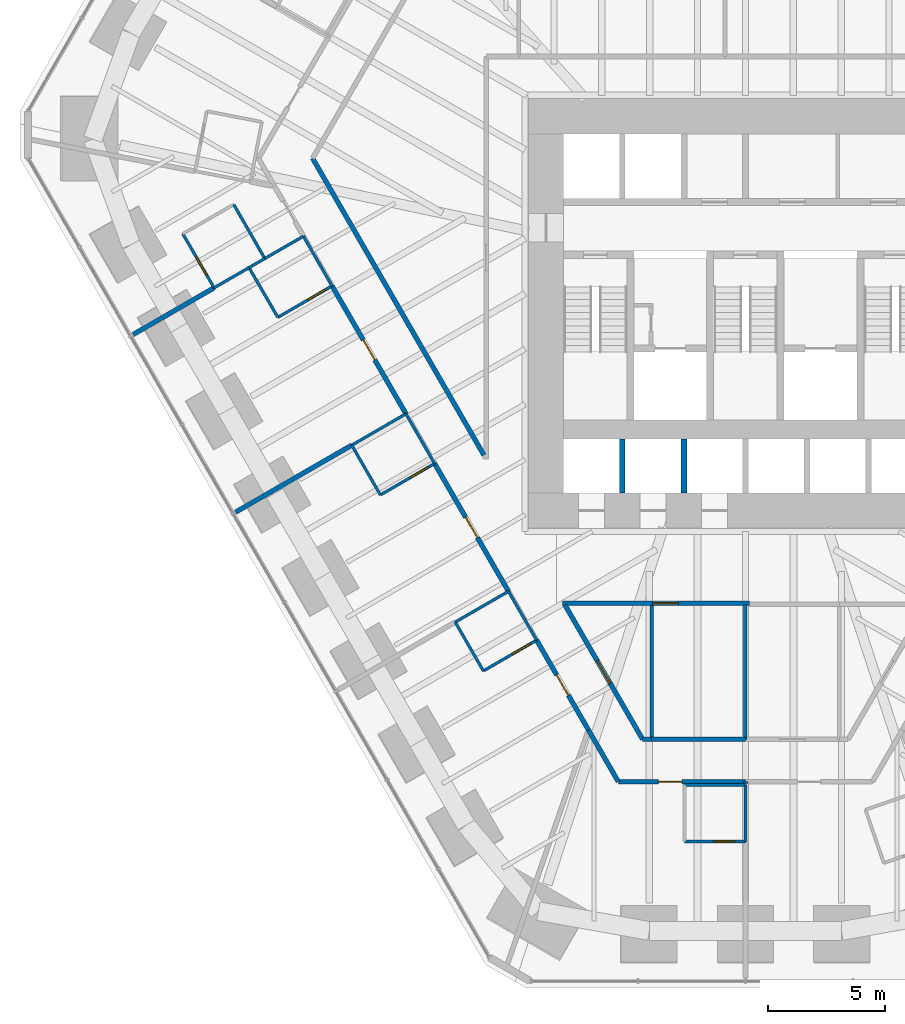
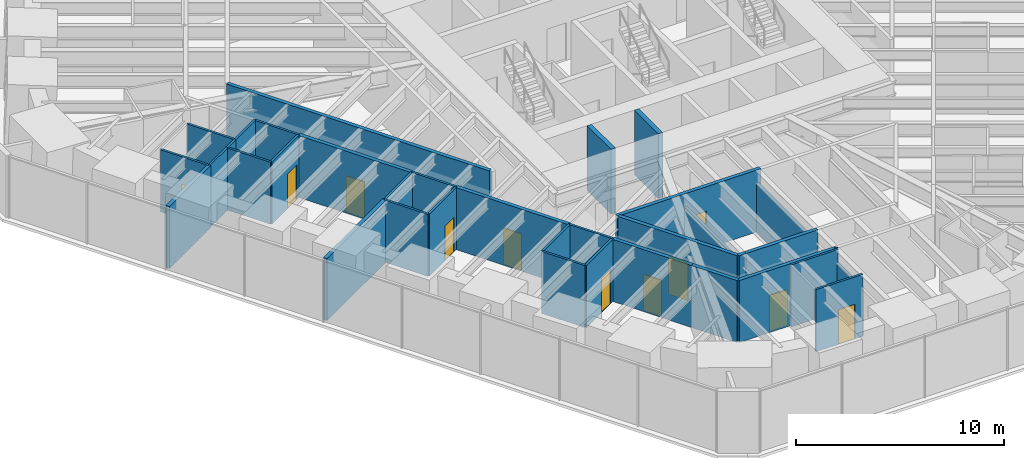
# One storey, part 11 of 17: 36 walls, 11 doors, 11 openings.
"""IFC4 building model written with IfcOpenShell, lengths in metres."""

from ifc_helpers import new_model, si_unit, direction, frame, frame_2d, origin, place, context, subcontext, project, spatial, rectangle, extrude, material, layer, layer_set, type_object, element, fill, save


model = new_model("IFC4")

# Units and contexts
model_context = context("Model", 3, precision=1e-05, world=origin(), true_north=direction((0.0, 1.0)))
body_context = subcontext(model_context, "Body", "Model", "MODEL_VIEW")
ifc_project = project(units=[si_unit("LENGTHUNIT", "METRE"), si_unit("AREAUNIT", "SQUARE_METRE"), si_unit("VOLUMEUNIT", "CUBIC_METRE"), si_unit("PLANEANGLEUNIT", "RADIAN"), si_unit("MASSUNIT", "GRAM", prefix="KILO")], contexts=[model_context])

# Site, building, storey
site_placement = place(None, origin())
site = spatial("IfcSite", under=ifc_project, at=site_placement, CompositionType="ELEMENT")
building_placement = place(site_placement, origin())
building = spatial("IfcBuilding", under=site, at=building_placement, Name="Sandreach Pilgrim Tower", CompositionType="ELEMENT")
storey_placement = place(building_placement, frame((0.0, 0.0, 72.39990234375)))
storey = spatial("IfcBuildingStorey", under=building, at=storey_placement, Name="L17", CompositionType="ELEMENT", Elevation=72.39990234375)

# Walls
ifc_material_1 = material(Name="Gypsum board on steel studs", Category="steel")
ifc_layer_1 = layer(ifc_material_1, 0.14990234375)
ifc_layer_set_1 = layer_set([ifc_layer_1], Name="Back of house wall 150")
wall_type_1 = type_object("IfcWallType", Name="Back of house wall 150", PredefinedType="PARTITIONING", material=ifc_layer_set_1)
wall_1_placement = place(storey_placement, frame((-4.0, -14.0, 0.0), z_axis=(0.0, 0.0, 1.0), x_axis=(0.0, -1.0, 0.0)))
element("IfcWall", 1, at=wall_1_placement, inside=storey, type_object=wall_type_1, Name="Back of house wall L17-060", PredefinedType="PARTITIONING", context=body_context, shape_type="SweptSolid", body=[
    extrude(rectangle(XDim=5.7099609375, YDim=0.14990234375, at=frame_2d((2.85498046875, 0.0))), origin(), (0.0, 0.0, 1.0), 2.878173828125),
])
wall_2_placement = place(storey_placement, frame((0.0, -13.949951171875, 0.0), z_axis=(0.0, 0.0, 1.0), x_axis=(0.0, -1.0, 0.0)))
element("IfcWall", 2, at=wall_2_placement, inside=storey, type_object=wall_type_1, Name="Back of house wall L17-074", PredefinedType="PARTITIONING", context=body_context, shape_type="SweptSolid", body=[
    extrude(rectangle(XDim=5.760009765625, YDim=0.14990234375, at=frame_2d((2.8798828125, 0.0))), origin(), (0.0, 0.0, 1.0), 2.8603515625),
])

# Wall, opening, door
ifc_material_2 = material(Name="Moisture-resistant gypsum board on steel studs", Category="steel")
ifc_layer_2 = layer(ifc_material_2, 0.1201171875)
ifc_layer_set_2 = layer_set([ifc_layer_2], Name="Bathroom partition 120")
wall_type_2 = type_object("IfcWallType", Name="Bathroom partition 120", PredefinedType="PARTITIONING", material=ifc_layer_set_2)
wall_3_placement = place(storey_placement, frame((-23.97998046875, 1.840087890625, 0.0), z_axis=(0.0, 0.0, 1.0), x_axis=(0.500605174168, -0.865675724273, 0.0)))
wall_3 = element("IfcWall", 3, at=wall_3_placement, inside=storey, type_object=wall_type_2, Name="Bathroom partition L17-004", PredefinedType="PARTITIONING", context=body_context, shape_type="SweptSolid", body=[
    extrude(rectangle(XDim=2.656982421875, YDim=0.1201171875, at=frame_2d((1.32861328125, 0.0))), origin(), (0.0, 0.0, 1.0), 3.64013671875),
])
opening_1_placement = place(wall_3_placement, frame((1.14990234375, 0.0, 0.0)))
opening_1 = element("IfcOpeningElement", 4, at=opening_1_placement, cuts=wall_3, Name="Opening D09-16B", PredefinedType="OPENING", context=body_context, shape_type="SweptSolid", body=[
    extrude(rectangle(XDim=0.89990234375, YDim=2.030029296875, at=frame_2d((0.449951171875, 1.01513671875))), frame((0.0, 0.06005859375, 0.0), z_axis=(0.0, -1.0, 0.0), x_axis=(1.0, 0.0, 0.0)), (0.0, 0.0, 1.0), 0.1201171875),
])
ifc_material_3 = material(Name="Timber door, steel frame", Category="steel")
door_type_1 = type_object("IfcDoorType", Name="Bathroom door", OperationType="SINGLE_SWING_LEFT", PredefinedType="DOOR", material=ifc_material_3)
door_1_placement = place(opening_1_placement, origin())
door_1 = element("IfcDoor", 5, at=door_1_placement, inside=storey, type_object=door_type_1, Name="Door 1716B", OperationType="SINGLE_SWING_RIGHT", OverallHeight=2.030029296875, OverallWidth=0.89990234375, PredefinedType="DOOR", context=body_context, shape_type="SweptSolid", body=[
    extrude(rectangle(XDim=0.89990234375, YDim=2.030029296875, at=frame_2d((0.449951171875, 1.01513671875))), frame((0.0, 0.02490234375, 0.0), z_axis=(0.0, -1.0, 0.0), x_axis=(1.0, 0.0, 0.0)), (0.0, 0.0, 1.0), 0.050048828125),
])
fill(opening_1, door_1)

# Walls
wall_4_placement = place(storey_placement, frame((-22.64990234375, -0.460205078125, 0.0), z_axis=(0.0, 0.0, 1.0), x_axis=(0.866060346521, 0.499939472521, 0.0)))
element("IfcWall", 6, at=wall_4_placement, inside=storey, type_object=wall_type_2, Name="Bathroom partition L17-007", PredefinedType="PARTITIONING", context=body_context, shape_type="SweptSolid", body=[
    extrude(rectangle(XDim=1.720458984375, YDim=0.1201171875, at=frame_2d((0.8603515625, 0.0))), origin(), (0.0, 0.0, 1.0), 3.64013671875),
])
wall_5_placement = place(storey_placement, frame((-21.159912109375, 0.39990234375, 0.0), z_axis=(0.0, 0.0, 1.0), x_axis=(0.865907519724, 0.500204125617, 0.0)))
element("IfcWall", 7, at=wall_5_placement, inside=storey, type_object=wall_type_2, Name="Bathroom partition L17-010", PredefinedType="PARTITIONING", context=body_context, shape_type="SweptSolid", body=[
    extrude(rectangle(XDim=0.775146484375, YDim=0.1201171875, at=frame_2d((0.3876953125, 0.0))), origin(), (0.0, 0.0, 1.0), 3.64013671875),
])
wall_6_placement = place(storey_placement, frame((-21.159912109375, 0.39990234375, 0.0), z_axis=(0.0, 0.0, 1.0), x_axis=(0.501856726365, -0.86495076519, 0.0)))
element("IfcWall", 8, at=wall_6_placement, inside=storey, type_object=wall_type_2, Name="Bathroom partition L17-011", PredefinedType="PARTITIONING", context=body_context, shape_type="SweptSolid", body=[
    extrude(rectangle(XDim=2.450927734375, YDim=0.1201171875, at=frame_2d((1.2255859375, 0.0))), origin(), (0.0, 0.0, 1.0), 3.64013671875),
])
wall_7_placement = place(storey_placement, frame((-20.489990234375, 0.7900390625, 0.0), z_axis=(0.0, 0.0, 1.0), x_axis=(-0.497773911185, 0.867306827682, 0.0)))
element("IfcWall", 9, at=wall_7_placement, inside=storey, type_object=wall_type_2, Name="Bathroom partition L17-017", PredefinedType="PARTITIONING", context=body_context, shape_type="SweptSolid", body=[
    extrude(rectangle(XDim=2.65185546875, YDim=0.1201171875, at=frame_2d((1.325927734375, 0.0))), origin(), (0.0, 0.0, 1.0), 3.64013671875),
])
wall_8_placement = place(storey_placement, frame((-20.48876953125, 0.78759765625, 0.0), z_axis=(0.0, 0.0, 1.0), x_axis=(0.865905802456, 0.500207098383, 0.0)))
element("IfcWall", 10, at=wall_8_placement, inside=storey, type_object=wall_type_2, Name="Bathroom partition L17-018", PredefinedType="PARTITIONING", context=body_context, shape_type="SweptSolid", body=[
    extrude(rectangle(XDim=1.904052734375, YDim=0.1201171875, at=frame_2d((0.9521484375, 0.0))), origin(), (0.0, 0.0, 1.0), 3.64013671875),
])

# Wall, opening, door
wall_9_placement = place(storey_placement, frame((-19.929931640625, -1.719970703125, 0.0), z_axis=(0.0, 0.0, 1.0), x_axis=(0.865006586495, 0.501760505939, 0.0)))
wall_9 = element("IfcWall", 11, at=wall_9_placement, inside=storey, type_object=wall_type_2, Name="Bathroom partition L17-021", PredefinedType="PARTITIONING", context=body_context, shape_type="SweptSolid", body=[
    extrude(rectangle(XDim=2.670166015625, YDim=0.1201171875, at=frame_2d((1.3349609375, 0.0))), origin(), (0.0, 0.0, 1.0), 3.64013671875),
])
opening_2_placement = place(wall_9_placement, frame((1.470458984375, 0.0, 0.0)))
opening_2 = element("IfcOpeningElement", 12, at=opening_2_placement, cuts=wall_9, Name="Opening D09-15B", PredefinedType="OPENING", context=body_context, shape_type="SweptSolid", body=[
    extrude(rectangle(XDim=0.89990234375, YDim=2.030029296875, at=frame_2d((0.449951171875, 1.01513671875))), frame((0.0, 0.06005859375, 0.0), z_axis=(0.0, -1.0, 0.0), x_axis=(1.0, 0.0, 0.0)), (0.0, 0.0, 1.0), 0.1201171875),
])
door_2_placement = place(opening_2_placement, origin())
door_2 = element("IfcDoor", 13, at=door_2_placement, inside=storey, type_object=door_type_1, Name="Door 1715B", OperationType="SINGLE_SWING_RIGHT", OverallHeight=2.030029296875, OverallWidth=0.89990234375, PredefinedType="DOOR", context=body_context, shape_type="SweptSolid", body=[
    extrude(rectangle(XDim=0.89990234375, YDim=2.030029296875, at=frame_2d((0.449951171875, 1.01513671875))), frame((0.0, 0.02490234375, 0.0), z_axis=(0.0, -1.0, 0.0), x_axis=(1.0, 0.0, 0.0)), (0.0, 0.0, 1.0), 0.050048828125),
])
fill(opening_2, door_2)

# Walls
for number, where, z_axis, x_axis, name in (
    (14, (-18.840087890625, 1.739990234375, 0.0), (0.0, 0.0, 1.0), (0.498555508765, -0.866857776501, 0.0), "Bathroom partition L17-022"),
    (15, (-16.780029296875, -7.169921875, 0.0), (0.0, 0.0, 1.0), (0.498748634132, -0.866746675766, 0.0), "Bathroom partition L17-030"),
):
    element("IfcWall", number, at=place(storey_placement, frame(where, z_axis=z_axis, x_axis=x_axis)), inside=storey, type_object=wall_type_2, Name=name, PredefinedType="PARTITIONING", context=body_context, shape_type="SweptSolid", body=[
        extrude(rectangle(XDim=2.446044921875, YDim=0.1201171875, at=frame_2d((1.22314453125, 0.0))), origin(), (0.0, 0.0, 1.0), 3.64013671875),
    ])
wall_10_placement = place(storey_placement, frame((-16.780029296875, -7.169921875, 0.0), z_axis=(0.0, 0.0, 1.0), x_axis=(0.865029602175, 0.501720826119, 0.0)))
element("IfcWall", 16, at=wall_10_placement, inside=storey, type_object=wall_type_2, Name="Bathroom partition L17-031", PredefinedType="PARTITIONING", context=body_context, shape_type="SweptSolid", body=[
    extrude(rectangle(XDim=2.67041015625, YDim=0.1201171875, at=frame_2d((1.335205078125, 0.0))), origin(), (0.0, 0.0, 1.0), 3.64013671875),
])

# Wall, opening, door
wall_11_placement = place(storey_placement, frame((-15.56005859375, -9.2900390625, 0.0), z_axis=(0.0, 0.0, 1.0), x_axis=(0.86498992408, 0.501789229896, 0.0)))
wall_11 = element("IfcWall", 17, at=wall_11_placement, inside=storey, type_object=wall_type_2, Name="Bathroom partition L17-033", PredefinedType="PARTITIONING", context=body_context, shape_type="SweptSolid", body=[
    extrude(rectangle(XDim=2.670654296875, YDim=0.1201171875, at=frame_2d((1.33544921875, 0.0))), origin(), (0.0, 0.0, 1.0), 3.64013671875),
])
opening_3_placement = place(wall_11_placement, frame((1.470458984375, 0.0, 0.0)))
opening_3 = element("IfcOpeningElement", 18, at=opening_3_placement, cuts=wall_11, Name="Opening D09-14B", PredefinedType="OPENING", context=body_context, shape_type="SweptSolid", body=[
    extrude(rectangle(XDim=0.89990234375, YDim=2.030029296875, at=frame_2d((0.449951171875, 1.01513671875))), frame((0.0, 0.06005859375, 0.0), z_axis=(0.0, -1.0, 0.0), x_axis=(1.0, 0.0, 0.0)), (0.0, 0.0, 1.0), 0.1201171875),
])
door_3_placement = place(opening_3_placement, origin())
door_3 = element("IfcDoor", 19, at=door_3_placement, inside=storey, type_object=door_type_1, Name="Door 1714B", OperationType="SINGLE_SWING_RIGHT", OverallHeight=2.030029296875, OverallWidth=0.89990234375, PredefinedType="DOOR", context=body_context, shape_type="SweptSolid", body=[
    extrude(rectangle(XDim=0.89990234375, YDim=2.030029296875, at=frame_2d((0.449951171875, 1.01513671875))), frame((0.0, 0.02490234375, 0.0), z_axis=(0.0, -1.0, 0.0), x_axis=(1.0, 0.0, 0.0)), (0.0, 0.0, 1.0), 0.050048828125),
])
fill(opening_3, door_3)

# Walls
wall_12_placement = place(storey_placement, frame((-14.469970703125, -5.830078125, 0.0), z_axis=(0.0, 0.0, 1.0), x_axis=(0.498673646582, -0.86678982124, 0.0)))
element("IfcWall", 20, at=wall_12_placement, inside=storey, type_object=wall_type_2, Name="Bathroom partition L17-034", PredefinedType="PARTITIONING", context=body_context, shape_type="SweptSolid", body=[
    extrude(rectangle(XDim=2.446044921875, YDim=0.1201171875, at=frame_2d((1.22314453125, 0.0))), origin(), (0.0, 0.0, 1.0), 3.64013671875),
])
wall_13_placement = place(storey_placement, frame((-12.3701171875, -14.7099609375, 0.0), z_axis=(0.0, 0.0, 1.0), x_axis=(0.499769390944, -0.866158505053, 0.0)))
element("IfcWall", 21, at=wall_13_placement, inside=storey, type_object=wall_type_2, Name="Bathroom partition L17-039", PredefinedType="PARTITIONING", context=body_context, shape_type="SweptSolid", body=[
    extrude(rectangle(XDim=2.401611328125, YDim=0.1201171875, at=frame_2d((1.20068359375, 0.0))), origin(), (0.0, 0.0, 1.0), 3.64013671875),
])
wall_14_placement = place(storey_placement, frame((-12.3701171875, -14.7099609375, 0.0), z_axis=(0.0, 0.0, 1.0), x_axis=(0.866114241029, 0.499846097802, 0.0)))
element("IfcWall", 22, at=wall_14_placement, inside=storey, type_object=wall_type_2, Name="Bathroom partition L17-040", PredefinedType="PARTITIONING", context=body_context, shape_type="SweptSolid", body=[
    extrude(rectangle(XDim=2.620849609375, YDim=0.1201171875, at=frame_2d((1.310546875, 0.0))), origin(), (0.0, 0.0, 1.0), 3.64013671875),
])

# Wall, opening, door
wall_15_placement = place(storey_placement, frame((-11.169921875, -16.7900390625, 0.0), z_axis=(0.0, 0.0, 1.0), x_axis=(0.866114241029, 0.499846097802, 0.0)))
wall_15 = element("IfcWall", 23, at=wall_15_placement, inside=storey, type_object=wall_type_2, Name="Bathroom partition L17-041", PredefinedType="PARTITIONING", context=body_context, shape_type="SweptSolid", body=[
    extrude(rectangle(XDim=2.620849609375, YDim=0.1201171875, at=frame_2d((1.310546875, 0.0))), origin(), (0.0, 0.0, 1.0), 3.64013671875),
])
opening_4_placement = place(wall_15_placement, frame((1.4208984375, 0.0, 0.0)))
opening_4 = element("IfcOpeningElement", 24, at=opening_4_placement, cuts=wall_15, Name="Opening D09-13B", PredefinedType="OPENING", context=body_context, shape_type="SweptSolid", body=[
    extrude(rectangle(XDim=0.89990234375, YDim=2.030029296875, at=frame_2d((0.449951171875, 1.01513671875))), frame((0.0, 0.06005859375, 0.0), z_axis=(0.0, -1.0, 0.0), x_axis=(1.0, 0.0, 0.0)), (0.0, 0.0, 1.0), 0.1201171875),
])
door_4_placement = place(opening_4_placement, origin())
door_4 = element("IfcDoor", 25, at=door_4_placement, inside=storey, type_object=door_type_1, Name="Door 1713B", OperationType="SINGLE_SWING_RIGHT", OverallHeight=2.030029296875, OverallWidth=0.89990234375, PredefinedType="DOOR", context=body_context, shape_type="SweptSolid", body=[
    extrude(rectangle(XDim=0.89990234375, YDim=2.030029296875, at=frame_2d((0.449951171875, 1.01513671875))), frame((0.0, 0.02490234375, 0.0), z_axis=(0.0, -1.0, 0.0), x_axis=(1.0, 0.0, 0.0)), (0.0, 0.0, 1.0), 0.050048828125),
])
fill(opening_4, door_4)

# Wall
wall_16_placement = place(storey_placement, frame((-10.10009765625, -13.39990234375, 0.0), z_axis=(0.0, 0.0, 1.0), x_axis=(0.499769390944, -0.866158505053, 0.0)))
element("IfcWall", 26, at=wall_16_placement, inside=storey, type_object=wall_type_2, Name="Bathroom partition L17-045", PredefinedType="PARTITIONING", context=body_context, shape_type="SweptSolid", body=[
    extrude(rectangle(XDim=2.401611328125, YDim=0.1201171875, at=frame_2d((1.20068359375, 0.0))), origin(), (0.0, 0.0, 1.0), 3.64013671875),
])

# Wall, opening, door
wall_17_placement = place(storey_placement, frame((-2.60009765625, -24.06005859375, 0.0), z_axis=(0.0, 0.0, 1.0), x_axis=(1.0, 0.0, 0.0)))
wall_17 = element("IfcWall", 27, at=wall_17_placement, inside=storey, type_object=wall_type_2, Name="Bathroom partition L17-061", PredefinedType="PARTITIONING", context=body_context, shape_type="SweptSolid", body=[
    extrude(rectangle(XDim=2.60009765625, YDim=0.1201171875, at=frame_2d((1.300048828125, 0.0))), origin(), (0.0, 0.0, 1.0), 3.64013671875),
])
opening_5_placement = place(wall_17_placement, frame((1.25, 0.0, 0.0)))
opening_5 = element("IfcOpeningElement", 28, at=opening_5_placement, cuts=wall_17, Name="Opening D09-12B", PredefinedType="OPENING", context=body_context, shape_type="SweptSolid", body=[
    extrude(rectangle(XDim=0.89990234375, YDim=2.030029296875, at=frame_2d((0.449951171875, 1.01513671875))), frame((0.0, 0.06005859375, 0.0), z_axis=(0.0, -1.0, 0.0), x_axis=(1.0, 0.0, 0.0)), (0.0, 0.0, 1.0), 0.1201171875),
])
door_5_placement = place(opening_5_placement, origin())
door_5 = element("IfcDoor", 29, at=door_5_placement, inside=storey, type_object=door_type_1, Name="Door 1712B", OperationType="SINGLE_SWING_RIGHT", OverallHeight=2.030029296875, OverallWidth=0.89990234375, PredefinedType="DOOR", context=body_context, shape_type="SweptSolid", body=[
    extrude(rectangle(XDim=0.89990234375, YDim=2.030029296875, at=frame_2d((0.449951171875, 1.01513671875))), frame((0.0, 0.02490234375, 0.0), z_axis=(0.0, -1.0, 0.0), x_axis=(1.0, 0.0, 0.0)), (0.0, 0.0, 1.0), 0.050048828125),
])
fill(opening_5, door_5)

# Walls
wall_18_placement = place(storey_placement, frame((0.0, -24.06005859375, 0.0), z_axis=(0.0, 0.0, 1.0), x_axis=(0.0, 1.0, 0.0)))
element("IfcWall", 30, at=wall_18_placement, inside=storey, type_object=wall_type_2, Name="Bathroom partition L17-069", PredefinedType="PARTITIONING", context=body_context, shape_type="SweptSolid", body=[
    extrude(rectangle(XDim=2.400146484375, YDim=0.1201171875, at=frame_2d((1.2001953125, 0.0))), origin(), (0.0, 0.0, 1.0), 2.8603515625),
])
wall_19_placement = place(storey_placement, frame((0.0, -21.659912109375, 0.0), z_axis=(0.0, 0.0, 1.0), x_axis=(-1.0, 0.0, 0.0)))
element("IfcWall", 31, at=wall_19_placement, inside=storey, type_object=wall_type_2, Name="Bathroom partition L17-070", PredefinedType="PARTITIONING", context=body_context, shape_type="SweptSolid", body=[
    extrude(rectangle(XDim=2.60009765625, YDim=0.1201171875, at=frame_2d((1.300048828125, 0.0))), origin(), (0.0, 0.0, 1.0), 3.64013671875),
])

# Wall, opening, door
ifc_material_4 = material(Name="Gypsum board on steel studs, two layers each side", Category="steel")
ifc_layer_3 = layer(ifc_material_4, 0.199951171875)
ifc_layer_set_3 = layer_set([ifc_layer_3], Name="Corridor wall 200")
wall_type_3 = type_object("IfcWallType", Name="Corridor wall 200", PredefinedType="PARTITIONING", material=ifc_layer_set_3)
wall_20_placement = place(storey_placement, frame((-17.62060546875, -0.38037109375, 0.0), z_axis=(0.0, 0.0, 1.0), x_axis=(0.500505674396, -0.865733255627, 0.0)))
wall_20 = element("IfcWall", 32, at=wall_20_placement, inside=storey, type_object=wall_type_3, Name="Corridor wall L17-028", PredefinedType="PARTITIONING", context=body_context, shape_type="SweptSolid", body=[
    extrude(rectangle(XDim=6.294921875, YDim=0.199951171875, at=frame_2d((3.1474609375, 0.0))), origin(), (0.0, 0.0, 1.0), 3.64013671875),
])
opening_6_placement = place(wall_20_placement, frame((2.6474609375, 0.0, 0.0)))
opening_6 = element("IfcOpeningElement", 33, at=opening_6_placement, cuts=wall_20, Name="Opening D10-15", PredefinedType="OPENING", context=body_context, shape_type="SweptSolid", body=[
    extrude(rectangle(XDim=1.0, YDim=2.1298828125, at=frame_2d((0.5, 1.06494140625))), frame((0.0, 0.10009765625, 0.0), z_axis=(0.0, -1.0, 0.0), x_axis=(1.0, 0.0, 0.0)), (0.0, 0.0, 1.0), 0.199951171875),
])
ifc_material_5 = material(Name="Steel door and frame", Category="steel")
door_type_2 = type_object("IfcDoorType", Name="Guest room entry door", OperationType="SINGLE_SWING_LEFT", PredefinedType="DOOR", material=ifc_material_5)
door_6_placement = place(opening_6_placement, origin())
door_6 = element("IfcDoor", 34, at=door_6_placement, inside=storey, type_object=door_type_2, Name="Door 1715", OperationType="SINGLE_SWING_LEFT", OverallHeight=2.1298828125, OverallWidth=1.0, PredefinedType="DOOR", context=body_context, shape_type="SweptSolid", body=[
    extrude(rectangle(XDim=1.0, YDim=2.1298828125, at=frame_2d((0.5, 1.06494140625))), frame((0.0, 0.02490234375, 0.0), z_axis=(0.0, -1.0, 0.0), x_axis=(1.0, 0.0, 0.0)), (0.0, 0.0, 1.0), 0.050048828125),
])
fill(opening_6, door_6)

wall_21_placement = place(storey_placement, frame((-13.250244140625, -7.9501953125, 0.0), z_axis=(0.0, 0.0, 1.0), x_axis=(0.500447534468, -0.865766865412, 0.0)))
wall_21 = element("IfcWall", 35, at=wall_21_placement, inside=storey, type_object=wall_type_3, Name="Corridor wall L17-036", PredefinedType="PARTITIONING", context=body_context, shape_type="SweptSolid", body=[
    extrude(rectangle(XDim=6.294677734375, YDim=0.199951171875, at=frame_2d((3.1474609375, 0.0))), origin(), (0.0, 0.0, 1.0), 3.64013671875),
])
opening_7_placement = place(wall_21_placement, frame((2.6474609375, 0.0, 0.0)))
opening_7 = element("IfcOpeningElement", 36, at=opening_7_placement, cuts=wall_21, Name="Opening D10-14", PredefinedType="OPENING", context=body_context, shape_type="SweptSolid", body=[
    extrude(rectangle(XDim=1.0, YDim=2.1298828125, at=frame_2d((0.5, 1.06494140625))), frame((0.0, 0.10009765625, 0.0), z_axis=(0.0, -1.0, 0.0), x_axis=(1.0, 0.0, 0.0)), (0.0, 0.0, 1.0), 0.199951171875),
])
door_7_placement = place(opening_7_placement, origin())
door_7 = element("IfcDoor", 37, at=door_7_placement, inside=storey, type_object=door_type_2, Name="Door 1714", OperationType="SINGLE_SWING_LEFT", OverallHeight=2.1298828125, OverallWidth=1.0, PredefinedType="DOOR", context=body_context, shape_type="SweptSolid", body=[
    extrude(rectangle(XDim=1.0, YDim=2.1298828125, at=frame_2d((0.5, 1.06494140625))), frame((0.0, 0.02490234375, 0.0), z_axis=(0.0, -1.0, 0.0), x_axis=(1.0, 0.0, 0.0)), (0.0, 0.0, 1.0), 0.050048828125),
])
fill(opening_7, door_7)

# Wall
wall_22_placement = place(storey_placement, frame((-11.1474609375, -7.591064453125, 0.0), z_axis=(0.0, 0.0, 1.0), x_axis=(-0.499915842114, 0.866073986911, 0.0)))
element("IfcWall", 38, at=wall_22_placement, inside=storey, type_object=wall_type_3, Name="Corridor wall L17-042", PredefinedType="PARTITIONING", context=body_context, shape_type="SweptSolid", body=[
    extrude(rectangle(XDim=14.607421875, YDim=0.199951171875, at=frame_2d((7.3037109375, 0.0))), origin(), (0.0, 0.0, 1.0), 3.64013671875),
])

# Wall, opening, door
wall_23_placement = place(storey_placement, frame((-8.89990234375, -15.47998046875, 0.0), z_axis=(0.0, 0.0, 1.0), x_axis=(0.499773435832, -0.866156171159, 0.0)))
wall_23 = element("IfcWall", 39, at=wall_23_placement, inside=storey, type_object=wall_type_3, Name="Corridor wall L17-051", PredefinedType="PARTITIONING", context=body_context, shape_type="SweptSolid", body=[
    extrude(rectangle(XDim=4.421875, YDim=0.199951171875, at=frame_2d((2.2109375, 0.0))), origin(), (0.0, 0.0, 1.0), 3.64013671875),
])
opening_8_placement = place(wall_23_placement, frame((1.7109375, 0.0, 0.0)))
opening_8 = element("IfcOpeningElement", 40, at=opening_8_placement, cuts=wall_23, Name="Opening D10-13", PredefinedType="OPENING", context=body_context, shape_type="SweptSolid", body=[
    extrude(rectangle(XDim=1.0, YDim=2.1298828125, at=frame_2d((0.5, 1.06494140625))), frame((0.0, 0.10009765625, 0.0), z_axis=(0.0, -1.0, 0.0), x_axis=(1.0, 0.0, 0.0)), (0.0, 0.0, 1.0), 0.199951171875),
])
door_8_placement = place(opening_8_placement, origin())
door_8 = element("IfcDoor", 41, at=door_8_placement, inside=storey, type_object=door_type_2, Name="Door 1713", OperationType="SINGLE_SWING_LEFT", OverallHeight=2.1298828125, OverallWidth=1.0, PredefinedType="DOOR", context=body_context, shape_type="SweptSolid", body=[
    extrude(rectangle(XDim=1.0, YDim=2.1298828125, at=frame_2d((0.5, 1.06494140625))), frame((0.0, 0.02490234375, 0.0), z_axis=(0.0, -1.0, 0.0), x_axis=(1.0, 0.0, 0.0)), (0.0, 0.0, 1.0), 0.050048828125),
])
fill(opening_8, door_8)

# Wall
wall_24_placement = place(storey_placement, frame((-6.68994140625, -19.31005859375, 0.0), z_axis=(0.0, 0.0, 1.0), x_axis=(0.499963722229, -0.866046347752, 0.0)))
element("IfcWall", 42, at=wall_24_placement, inside=storey, type_object=wall_type_3, Name="Corridor wall L17-052", PredefinedType="PARTITIONING", context=body_context, shape_type="SweptSolid", body=[
    extrude(rectangle(XDim=2.540283203125, YDim=0.199951171875, at=frame_2d((1.27001953125, 0.0))), origin(), (0.0, 0.0, 1.0), 3.64013671875),
])

# Wall, opening, door
wall_25_placement = place(storey_placement, frame((-5.419921875, -21.510009765625, 0.0), z_axis=(0.0, 0.0, 1.0), x_axis=(1.0, 0.0, 0.0)))
wall_25 = element("IfcWall", 43, at=wall_25_placement, inside=storey, type_object=wall_type_3, Name="Corridor wall L17-057", PredefinedType="PARTITIONING", context=body_context, shape_type="SweptSolid", body=[
    extrude(rectangle(XDim=5.419921875, YDim=0.199951171875, at=frame_2d((2.7099609375, 0.0))), origin(), (0.0, 0.0, 1.0), 3.64013671875),
])
opening_9_placement = place(wall_25_placement, frame((1.7099609375, 0.0, 0.0)))
opening_9 = element("IfcOpeningElement", 44, at=opening_9_placement, cuts=wall_25, Name="Opening D10-12", PredefinedType="OPENING", context=body_context, shape_type="SweptSolid", body=[
    extrude(rectangle(XDim=1.0, YDim=2.1298828125, at=frame_2d((0.5, 1.06494140625))), frame((0.0, 0.10009765625, 0.0), z_axis=(0.0, -1.0, 0.0), x_axis=(1.0, 0.0, 0.0)), (0.0, 0.0, 1.0), 0.199951171875),
])
door_9_placement = place(opening_9_placement, origin())
door_9 = element("IfcDoor", 45, at=door_9_placement, inside=storey, type_object=door_type_2, Name="Door 1712", OperationType="SINGLE_SWING_LEFT", OverallHeight=2.1298828125, OverallWidth=1.0, PredefinedType="DOOR", context=body_context, shape_type="SweptSolid", body=[
    extrude(rectangle(XDim=1.0, YDim=2.1298828125, at=frame_2d((0.5, 1.06494140625))), frame((0.0, 0.02490234375, 0.0), z_axis=(0.0, -1.0, 0.0), x_axis=(1.0, 0.0, 0.0)), (0.0, 0.0, 1.0), 0.050048828125),
])
fill(opening_9, door_9)

wall_26_placement = place(storey_placement, frame((-4.3798828125, -19.7099609375, 0.0), z_axis=(0.0, 0.0, 1.0), x_axis=(-0.500523653757, 0.865722860984, 0.0)))
wall_26 = element("IfcWall", 46, at=wall_26_placement, inside=storey, type_object=wall_type_3, Name="Corridor wall L17-058", PredefinedType="PARTITIONING", context=body_context, shape_type="SweptSolid", body=[
    extrude(rectangle(XDim=6.62841796875, YDim=0.199951171875, at=frame_2d((3.314208984375, 0.0))), origin(), (0.0, 0.0, 1.0), 3.64013671875),
])
opening_10_placement = place(wall_26_placement, frame((2.76416015625, 0.0, 0.0)))
opening_10 = element("IfcOpeningElement", 47, at=opening_10_placement, cuts=wall_26, Name="Opening D11H-S1", PredefinedType="OPENING", context=body_context, shape_type="SweptSolid", body=[
    extrude(rectangle(XDim=1.10009765625, YDim=2.199951171875, at=frame_2d((0.550048828125, 1.10009765625))), frame((0.0, 0.10009765625, 0.0), z_axis=(0.0, -1.0, 0.0), x_axis=(1.0, 0.0, 0.0)), (0.0, 0.0, 1.0), 0.199951171875),
])
ifc_material_6 = material(Name="Steel door and frame", Category="steel")
door_type_3 = type_object("IfcDoorType", Name="Back of house door", OperationType="SINGLE_SWING_LEFT", PredefinedType="DOOR", material=ifc_material_6)
door_10_placement = place(opening_10_placement, origin())
door_10 = element("IfcDoor", 48, at=door_10_placement, inside=storey, type_object=door_type_3, Name="Door 17S1", OperationType="SINGLE_SWING_LEFT", OverallHeight=2.199951171875, OverallWidth=1.10009765625, PredefinedType="DOOR", context=body_context, shape_type="SweptSolid", body=[
    extrude(rectangle(XDim=1.10009765625, YDim=2.199951171875, at=frame_2d((0.550048828125, 1.10009765625))), frame((0.0, 0.02490234375, 0.0), z_axis=(0.0, -1.0, 0.0), x_axis=(1.0, 0.0, 0.0)), (0.0, 0.0, 1.0), 0.050048828125),
])
fill(opening_10, door_10)

# Walls
wall_27_placement = place(storey_placement, frame((-4.0, -19.7099609375, 0.0), z_axis=(0.0, 0.0, 1.0), x_axis=(-1.0, 0.0, 0.0)))
element("IfcWall", 49, at=wall_27_placement, inside=storey, type_object=wall_type_3, Name="Corridor wall L17-059", PredefinedType="PARTITIONING", context=body_context, shape_type="SweptSolid", body=[
    extrude(rectangle(XDim=0.3798828125, YDim=0.199951171875, at=frame_2d((0.18994140625, 0.0))), origin(), (0.0, 0.0, 1.0), 3.64013671875),
])
wall_28_placement = place(storey_placement, frame((0.0, -19.7099609375, 0.0), z_axis=(0.0, 0.0, 1.0), x_axis=(-1.0, 0.0, 0.0)))
element("IfcWall", 50, at=wall_28_placement, inside=storey, type_object=wall_type_3, Name="Corridor wall L17-073", PredefinedType="PARTITIONING", context=body_context, shape_type="SweptSolid", body=[
    extrude(rectangle(XDim=4.0, YDim=0.199951171875, at=frame_2d((2.0, 0.0))), origin(), (0.0, 0.0, 1.0), 3.64013671875),
])

# Wall, opening, door
wall_29_placement = place(storey_placement, frame((0.179931640625, -13.89990234375, 0.0), z_axis=(0.0, 0.0, 1.0), x_axis=(-1.0, 0.0, 0.0)))
wall_29 = element("IfcWall", 51, at=wall_29_placement, inside=storey, type_object=wall_type_3, Name="Corridor wall L17-076", PredefinedType="PARTITIONING", context=body_context, shape_type="SweptSolid", body=[
    extrude(rectangle(XDim=7.969970703125, YDim=0.199951171875, at=frame_2d((3.98486328125, 0.0))), origin(), (0.0, 0.0, 1.0), 3.64013671875),
])
opening_11_placement = place(wall_29_placement, frame((3.034912109375, 0.0, 0.0)))
opening_11 = element("IfcOpeningElement", 52, at=opening_11_placement, cuts=wall_29, Name="Opening D11H-S2", PredefinedType="OPENING", context=body_context, shape_type="SweptSolid", body=[
    extrude(rectangle(XDim=1.10009765625, YDim=2.199951171875, at=frame_2d((0.550048828125, 1.10009765625))), frame((0.0, 0.10009765625, 0.0), z_axis=(0.0, -1.0, 0.0), x_axis=(1.0, 0.0, 0.0)), (0.0, 0.0, 1.0), 0.199951171875),
])
door_11_placement = place(opening_11_placement, origin())
door_11 = element("IfcDoor", 53, at=door_11_placement, inside=storey, type_object=door_type_3, Name="Door 17S2", OperationType="SINGLE_SWING_LEFT", OverallHeight=2.199951171875, OverallWidth=1.10009765625, PredefinedType="DOOR", context=body_context, shape_type="SweptSolid", body=[
    extrude(rectangle(XDim=1.10009765625, YDim=2.199951171875, at=frame_2d((0.550048828125, 1.10009765625))), frame((0.0, 0.02490234375, 0.0), z_axis=(0.0, -1.0, 0.0), x_axis=(1.0, 0.0, 0.0)), (0.0, 0.0, 1.0), 0.050048828125),
])
fill(opening_11, door_11)

# Walls
ifc_material_7 = material(Name="Double steel stud acoustic wall, gypsum board", Category="steel")
ifc_layer_4 = layer(ifc_material_7, 0.199951171875)
ifc_layer_set_4 = layer_set([ifc_layer_4], Name="Party wall 200")
wall_type_4 = type_object("IfcWallType", Name="Party wall 200", PredefinedType="PARTITIONING", material=ifc_layer_set_4)
wall_30_placement = place(storey_placement, frame((-26.09619140625, -2.449951171875, 0.0), z_axis=(0.0, 0.0, 1.0), x_axis=(0.866022120267, 0.500005687176, 0.0)))
element("IfcWall", 54, at=wall_30_placement, inside=storey, type_object=wall_type_4, Name="Party wall L17-002", PredefinedType="PARTITIONING", context=body_context, shape_type="SweptSolid", body=[
    extrude(rectangle(XDim=3.9794921875, YDim=0.199951171875, at=frame_2d((1.98974609375, 0.0))), origin(), (0.0, 0.0, 1.0), 3.64013671875),
])
wall_31_placement = place(storey_placement, frame((-21.72607421875, -10.02001953125, 0.0), z_axis=(0.0, 0.0, 1.0), x_axis=(0.866442508333, 0.499276856818, 0.0)))
element("IfcWall", 55, at=wall_31_placement, inside=storey, type_object=wall_type_4, Name="Party wall L17-009", PredefinedType="PARTITIONING", context=body_context, shape_type="SweptSolid", body=[
    extrude(rectangle(XDim=5.70849609375, YDim=0.199951171875, at=frame_2d((2.854248046875, 0.0))), origin(), (0.0, 0.0, 1.0), 3.64013671875),
])
wall_32_placement = place(storey_placement, frame((0.0, -21.60009765625, 0.0), z_axis=(0.0, 0.0, 1.0), x_axis=(0.0, 1.0, 0.0)))
element("IfcWall", 56, at=wall_32_placement, inside=storey, type_object=wall_type_4, Name="Party wall L17-071", PredefinedType="PARTITIONING", context=body_context, shape_type="SweptSolid", body=[
    extrude(rectangle(XDim=0.090087890625, YDim=0.199951171875, at=frame_2d((0.044921875, 0.0))), origin(), (0.0, 0.0, 1.0), 3.64013671875),
])
ifc_material_8 = material(Name="Gypsum shaft wall on steel studs, two layers of shaft liner board", Category="steel")
ifc_layer_5 = layer(ifc_material_8, 0.25)
ifc_layer_set_5 = layer_set([ifc_layer_5], Name="Shaft partition 250")
wall_type_5 = type_object("IfcWallType", Name="Shaft partition 250", PredefinedType="PARTITIONING", material=ifc_layer_set_5)
for number, where, z_axis, x_axis, name in (
    (57, (-5.25, -9.199951171875, 0.0), (0.0, 0.0, 1.0), (0.0, 1.0, 0.0), "Shaft partition XS0 L17"),
    (58, (-2.625, -9.199951171875, 0.0), (0.0, 0.0, 1.0), (0.0, 1.0, 0.0), "Shaft partition XS1 L17"),
):
    element("IfcWall", number, at=place(storey_placement, frame(where, z_axis=z_axis, x_axis=x_axis)), inside=storey, type_object=wall_type_5, Name=name, PredefinedType="PARTITIONING", context=body_context, shape_type="SweptSolid", body=[
        extrude(rectangle(XDim=2.300048828125, YDim=0.25, at=frame_2d((1.14990234375, 0.0))), origin(), (0.0, 0.0, 1.0), 3.800048828125),
    ])

save(model, "model.ifc")
